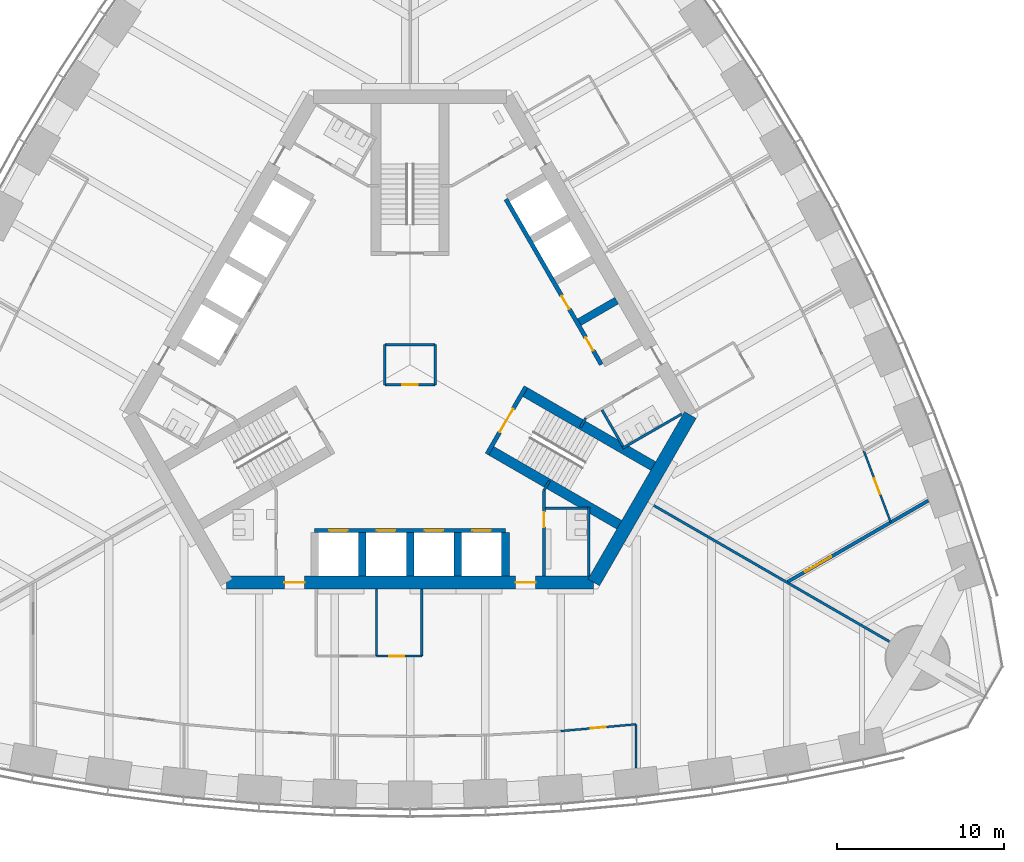
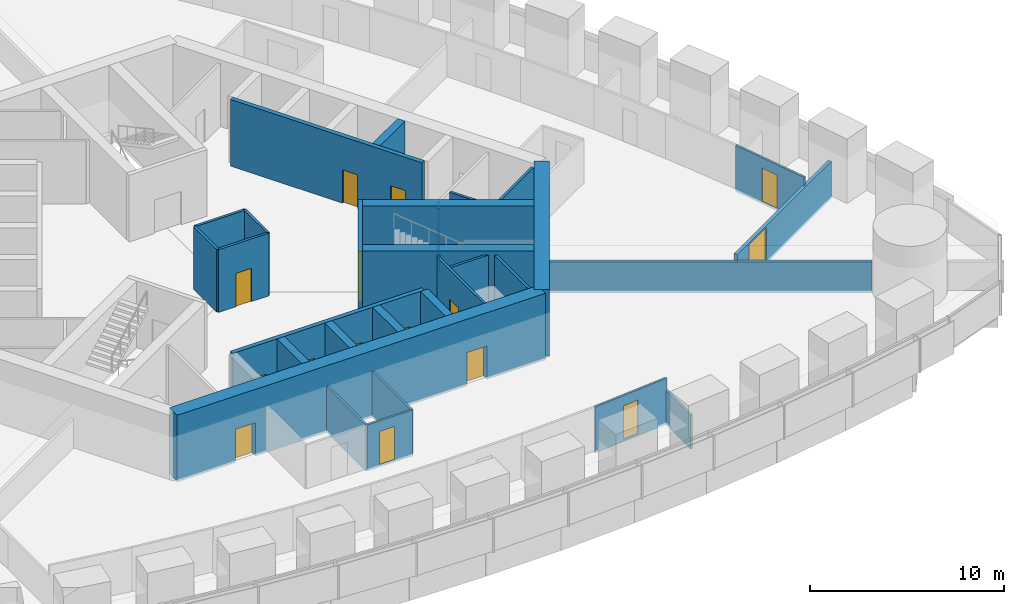
# One storey, part 11 of 18: 31 walls, 15 doors, 15 openings.
"""IFC4 building model written with IfcOpenShell, lengths in metres."""

from ifc_helpers import new_model, si_unit, direction, frame, frame_2d, origin, place, context, subcontext, project, spatial, rectangle, extrude, material, layer, layer_set, type_object, element, fill, save


model = new_model("IFC4")

# Units and contexts
model_context = context("Model", 3, precision=1e-05, world=origin(), true_north=direction((0.0, 1.0)))
body_context = subcontext(model_context, "Body", "Model", "MODEL_VIEW")
ifc_project = project(units=[si_unit("LENGTHUNIT", "METRE"), si_unit("AREAUNIT", "SQUARE_METRE"), si_unit("VOLUMEUNIT", "CUBIC_METRE"), si_unit("PLANEANGLEUNIT", "RADIAN"), si_unit("MASSUNIT", "GRAM", prefix="KILO")], contexts=[model_context])

# Site, building, storey
site_placement = place(None, origin())
site = spatial("IfcSite", under=ifc_project, at=site_placement, CompositionType="ELEMENT")
building_placement = place(site_placement, origin())
building = spatial("IfcBuilding", under=site, at=building_placement, Name="Trefoil Bronze Tower", CompositionType="ELEMENT")
storey_placement = place(building_placement, frame((0.0, 0.0, 174.5)))
storey = spatial("IfcBuildingStorey", under=building, at=storey_placement, Name="L40", CompositionType="ELEMENT", Elevation=174.5)

# Wall, opening, door
ifc_material_1 = material(Name="Gypsum board on steel studs", Category="steel")
ifc_layer_1 = layer(ifc_material_1, 0.199951171875)
ifc_layer_set_1 = layer_set([ifc_layer_1], Name="Acoustic partition 200")
wall_type_1 = type_object("IfcWallType", Name="Acoustic partition 200", PredefinedType="PARTITIONING", material=ifc_layer_set_1)
wall_1_placement = place(storey_placement, frame((22.552978515625, -12.959716796875, 0.0), z_axis=(0.0, 0.0, 1.0), x_axis=(0.866028367999, 0.499994865794, 0.0)))
wall_1 = element("IfcWall", 1, at=wall_1_placement, inside=storey, type_object=wall_type_1, Name="Partition F2 L40", PredefinedType="PARTITIONING", context=body_context, shape_type="SweptSolid", body=[
    extrude(rectangle(XDim=9.697265625, YDim=0.199951171875, at=frame_2d((4.8486328125, 0.0))), origin(), (0.0, 0.0, 1.0), 2.35009765625),
])
opening_1_placement = place(wall_1_placement, frame((1.199951171875, 0.0, 0.14990234375)))
opening_1 = element("IfcOpeningElement", 2, at=opening_1_placement, cuts=wall_1, Name="Opening D10", PredefinedType="OPENING", context=body_context, shape_type="SweptSolid", body=[
    extrude(rectangle(XDim=1.800048828125, YDim=2.10009765625, at=frame_2d((0.89990234375, 1.050048828125))), frame((0.0, 0.10986328125, 0.0), z_axis=(0.0, -1.0, 0.0), x_axis=(1.0, 0.0, 0.0)), (0.0, 0.0, 1.0), 0.219970703125),
])
ifc_material_2 = material(Name="Timber door", Category="wood")
door_type_1 = type_object("IfcDoorType", Name="Double door 1800", OperationType="DOUBLE_DOOR_SINGLE_SWING", PredefinedType="DOOR", material=ifc_material_2)
door_1_placement = place(opening_1_placement, frame((1.800048828125, 0.0, 0.0), z_axis=(0.0, 0.0, 1.0), x_axis=(-1.0, 0.0, 0.0)))
door_1 = element("IfcDoor", 3, at=door_1_placement, inside=storey, type_object=door_type_1, Name="Boardroom door F2 L40", OperationType="DOUBLE_DOOR_SINGLE_SWING", OverallHeight=2.10009765625, OverallWidth=1.800048828125, PredefinedType="DOOR", context=body_context, shape_type="SweptSolid", body=[
    extrude(rectangle(XDim=1.800048828125, YDim=2.10009765625, at=frame_2d((0.89990234375, 1.050048828125))), frame((0.0, 0.02490234375, 0.0), z_axis=(0.0, -1.0, 0.0), x_axis=(1.0, 0.0, 0.0)), (0.0, 0.0, 1.0), 0.050048828125),
])
fill(opening_1, door_1)

# Wall, openings, doors
ifc_material_3 = material(Name="Concrete B80", Category="concrete")
ifc_layer_2 = layer(ifc_material_3, 0.800048828125)
ifc_layer_set_2 = layer_set([ifc_layer_2], Name="Core wall 800")
wall_type_2 = type_object("IfcWallType", Name="Core wall 800", PredefinedType="SHEAR", material=ifc_layer_set_2)
wall_2_placement = place(storey_placement, frame((-10.9697265625, -13.0, 0.0), z_axis=(0.0, 0.0, 1.0), x_axis=(1.0, 0.0, 0.0)))
wall_2 = element("IfcWall", 4, at=wall_2_placement, inside=storey, type_object=wall_type_2, Name="Core long wall 1 L40", PredefinedType="SHEAR", context=body_context, shape_type="SweptSolid", body=[
    extrude(rectangle(XDim=21.939453125, YDim=0.800048828125, at=frame_2d((10.9697265625, 0.0))), origin(), (0.0, 0.0, 1.0), 4.199951171875),
])
opening_2_placement = place(wall_2_placement, frame((17.269775390625, 0.0, 0.0)))
opening_2 = element("IfcOpeningElement", 5, at=opening_2_placement, cuts=wall_2, Name="Opening D2", PredefinedType="OPENING", context=body_context, shape_type="SweptSolid", body=[
    extrude(rectangle(XDim=1.199951171875, YDim=2.10009765625, at=frame_2d((0.60009765625, 1.050048828125))), frame((0.0, 0.409912109375, 0.0), z_axis=(0.0, -1.0, 0.0), x_axis=(1.0, 0.0, 0.0)), (0.0, 0.0, 1.0), 0.820068359375),
])
opening_3_placement = place(wall_2_placement, frame((3.4697265625, 0.0, 0.0)))
opening_3 = element("IfcOpeningElement", 6, at=opening_3_placement, cuts=wall_2, Name="Opening D2", PredefinedType="OPENING", context=body_context, shape_type="SweptSolid", body=[
    extrude(rectangle(XDim=1.199951171875, YDim=2.10009765625, at=frame_2d((0.60009765625, 1.050048828125))), frame((0.0, 0.409912109375, 0.0), z_axis=(0.0, -1.0, 0.0), x_axis=(1.0, 0.0, 0.0)), (0.0, 0.0, 1.0), 0.820068359375),
])
ifc_material_4 = material(Name="Steel door", Category="steel")
door_type_2 = type_object("IfcDoorType", Name="Lobby door 1200", OperationType="SINGLE_SWING_RIGHT", PredefinedType="DOOR", material=ifc_material_4)
door_2_placement = place(opening_2_placement, origin())
door_2 = element("IfcDoor", 7, at=door_2_placement, inside=storey, type_object=door_type_2, Name="Lobby door F1+ L40", OperationType="SINGLE_SWING_RIGHT", OverallHeight=2.10009765625, OverallWidth=1.199951171875, PredefinedType="DOOR", context=body_context, shape_type="SweptSolid", body=[
    extrude(rectangle(XDim=1.199951171875, YDim=2.10009765625, at=frame_2d((0.60009765625, 1.050048828125))), frame((0.0, 0.02490234375, 0.0), z_axis=(0.0, -1.0, 0.0), x_axis=(1.0, 0.0, 0.0)), (0.0, 0.0, 1.0), 0.050048828125),
])
fill(opening_2, door_2)
door_3_placement = place(opening_3_placement, origin())
door_3 = element("IfcDoor", 8, at=door_3_placement, inside=storey, type_object=door_type_2, Name="Lobby door F1- L40", OperationType="SINGLE_SWING_LEFT", OverallHeight=2.10009765625, OverallWidth=1.199951171875, PredefinedType="DOOR", context=body_context, shape_type="SweptSolid", body=[
    extrude(rectangle(XDim=1.199951171875, YDim=2.10009765625, at=frame_2d((0.60009765625, 1.050048828125))), frame((0.0, 0.02490234375, 0.0), z_axis=(0.0, -1.0, 0.0), x_axis=(1.0, 0.0, 0.0)), (0.0, 0.0, 1.0), 0.050048828125),
])
fill(opening_3, door_3)

# Wall
wall_3_placement = place(storey_placement, frame((10.9697265625, -13.0, 0.0), z_axis=(0.0, 0.0, 1.0), x_axis=(0.499995765644, 0.866027848477, 0.0)))
element("IfcWall", 9, at=wall_3_placement, inside=storey, type_object=wall_type_2, Name="Core short wall 1 L40", PredefinedType="SHEAR", context=body_context, shape_type="SweptSolid", body=[
    extrude(rectangle(XDim=11.546875, YDim=0.800048828125, at=frame_2d((5.7734375, 0.0))), origin(), (0.0, 0.0, 1.0), 4.199951171875),
])

# Wall, opening, door
ifc_material_5 = material(Name="Glazed partition", Category="glass")
ifc_layer_3 = layer(ifc_material_5, 0.1201171875)
ifc_layer_set_3 = layer_set([ifc_layer_3], Name="Glazed partition 120")
wall_type_3 = type_object("IfcWallType", Name="Glazed partition 120", PredefinedType="PARTITIONING", material=ifc_layer_set_3)
wall_4_placement = place(storey_placement, frame((-2.0, -17.39990234375, 0.0), z_axis=(0.0, 0.0, 1.0), x_axis=(1.0, 0.0, 0.0)))
wall_4 = element("IfcWall", 10, at=wall_4_placement, inside=storey, type_object=wall_type_3, Name="Partition F1 L40", PredefinedType="PARTITIONING", context=body_context, shape_type="SweptSolid", body=[
    extrude(rectangle(XDim=2.699951171875, YDim=0.1201171875, at=frame_2d((1.35009765625, 0.0))), origin(), (0.0, 0.0, 1.0), 2.89990234375),
])
opening_4_placement = place(wall_4_placement, frame((0.75, 0.0, 0.14990234375)))
opening_4 = element("IfcOpeningElement", 11, at=opening_4_placement, cuts=wall_4, Name="Opening D8", PredefinedType="OPENING", context=body_context, shape_type="SweptSolid", body=[
    extrude(rectangle(XDim=0.89990234375, YDim=2.10009765625, at=frame_2d((0.449951171875, 1.050048828125))), frame((0.0, 0.070068359375, 0.0), z_axis=(0.0, -1.0, 0.0), x_axis=(1.0, 0.0, 0.0)), (0.0, 0.0, 1.0), 0.14013671875),
])
ifc_material_6 = material(Name="Timber door", Category="wood")
door_type_3 = type_object("IfcDoorType", Name="Office door 900", OperationType="SINGLE_SWING_LEFT", PredefinedType="DOOR", material=ifc_material_6)
door_4_placement = place(opening_4_placement, origin())
door_4 = element("IfcDoor", 12, at=door_4_placement, inside=storey, type_object=door_type_3, Name="Pantry door F1 L40", OperationType="SINGLE_SWING_LEFT", OverallHeight=2.10009765625, OverallWidth=0.89990234375, PredefinedType="DOOR", context=body_context, shape_type="SweptSolid", body=[
    extrude(rectangle(XDim=0.89990234375, YDim=2.10009765625, at=frame_2d((0.449951171875, 1.050048828125))), frame((0.0, 0.02490234375, 0.0), z_axis=(0.0, -1.0, 0.0), x_axis=(1.0, 0.0, 0.0)), (0.0, 0.0, 1.0), 0.050048828125),
])
fill(opening_4, door_4)

# Walls
for number, where, z_axis, x_axis, name in (
    (13, (0.699951171875, -13.39990234375, 0.0), (0.0, 0.0, 1.0), (0.0, -1.0, 0.0), "Partition F1 L40"),
    (14, (-2.0, -13.39990234375, 0.0), (0.0, 0.0, 1.0), (0.0, -1.0, 0.0), "Partition F1 L40"),
):
    element("IfcWall", number, at=place(storey_placement, frame(where, z_axis=z_axis, x_axis=x_axis)), inside=storey, type_object=wall_type_3, Name=name, PredefinedType="PARTITIONING", context=body_context, shape_type="SweptSolid", body=[
        extrude(rectangle(XDim=4.0, YDim=0.1201171875, at=frame_2d((2.0, 0.0))), origin(), (0.0, 0.0, 1.0), 2.89990234375),
    ])

# Wall, opening, door
wall_5_placement = place(storey_placement, frame((9.0, -21.875, 0.0), z_axis=(0.0, 0.0, 1.0), x_axis=(0.995930325215, 0.090126507295, 0.0)))
wall_5 = element("IfcWall", 15, at=wall_5_placement, inside=storey, type_object=wall_type_3, Name="Partition F1 L40", PredefinedType="PARTITIONING", context=body_context, shape_type="SweptSolid", body=[
    extrude(rectangle(XDim=4.518310546875, YDim=0.1201171875, at=frame_2d((2.25927734375, 0.0))), origin(), (0.0, 0.0, 1.0), 2.89990234375),
])
opening_5_placement = place(wall_5_placement, frame((1.800048828125, 0.0, 0.14990234375)))
opening_5 = element("IfcOpeningElement", 16, at=opening_5_placement, cuts=wall_5, Name="Opening D8", PredefinedType="OPENING", context=body_context, shape_type="SweptSolid", body=[
    extrude(rectangle(XDim=0.89990234375, YDim=2.10009765625, at=frame_2d((0.449951171875, 1.050048828125))), frame((0.0, 0.070068359375, 0.0), z_axis=(0.0, -1.0, 0.0), x_axis=(1.0, 0.0, 0.0)), (0.0, 0.0, 1.0), 0.14013671875),
])
door_5_placement = place(opening_5_placement, frame((0.89990234375, 0.0, 0.0), z_axis=(0.0, 0.0, 1.0), x_axis=(-1.0, 0.0, 0.0)))
door_5 = element("IfcDoor", 17, at=door_5_placement, inside=storey, type_object=door_type_3, Name="Executive office door F1 L40", OperationType="SINGLE_SWING_RIGHT", OverallHeight=2.10009765625, OverallWidth=0.89990234375, PredefinedType="DOOR", context=body_context, shape_type="SweptSolid", body=[
    extrude(rectangle(XDim=0.89990234375, YDim=2.10009765625, at=frame_2d((0.449951171875, 1.050048828125))), frame((0.0, 0.02490234375, 0.0), z_axis=(0.0, -1.0, 0.0), x_axis=(1.0, 0.0, 0.0)), (0.0, 0.0, 1.0), 0.050048828125),
])
fill(opening_5, door_5)

# Wall
wall_6_placement = place(storey_placement, frame((13.5, -21.4677734375, 0.0), z_axis=(0.0, 0.0, 1.0), x_axis=(0.0, -1.0, 0.0)))
element("IfcWall", 18, at=wall_6_placement, inside=storey, type_object=wall_type_3, Name="Partition F1 L40", PredefinedType="PARTITIONING", context=body_context, shape_type="SweptSolid", body=[
    extrude(rectangle(XDim=2.6103515625, YDim=0.1201171875, at=frame_2d((1.30517578125, 0.0))), origin(), (0.0, 0.0, 1.0), 2.14990234375),
])

# Wall, opening, door
wall_7_placement = place(storey_placement, frame((28.70556640625, -9.40771484375, 0.0), z_axis=(0.0, 0.0, 1.0), x_axis=(-0.352894560512, 0.93566309597, 0.0)))
wall_7 = element("IfcWall", 19, at=wall_7_placement, inside=storey, type_object=wall_type_3, Name="Partition F2 L40", PredefinedType="PARTITIONING", context=body_context, shape_type="SweptSolid", body=[
    extrude(rectangle(XDim=4.560546875, YDim=0.1201171875, at=frame_2d((2.2802734375, 0.0))), origin(), (0.0, 0.0, 1.0), 2.89990234375),
])
opening_6_placement = place(wall_7_placement, frame((1.800048828125, 0.0, 0.14990234375)))
opening_6 = element("IfcOpeningElement", 20, at=opening_6_placement, cuts=wall_7, Name="Opening D9", PredefinedType="OPENING", context=body_context, shape_type="SweptSolid", body=[
    extrude(rectangle(XDim=1.0, YDim=2.10009765625, at=frame_2d((0.5, 1.050048828125))), frame((0.0, 0.070068359375, 0.0), z_axis=(0.0, -1.0, 0.0), x_axis=(1.0, 0.0, 0.0)), (0.0, 0.0, 1.0), 0.14013671875),
])
ifc_material_7 = material(Name="Glazed timber door", Category="wood")
door_type_4 = type_object("IfcDoorType", Name="Meeting room door 1000", OperationType="SINGLE_SWING_LEFT", PredefinedType="DOOR", material=ifc_material_7)
door_6_placement = place(opening_6_placement, frame((1.0, 0.0, 0.0), z_axis=(0.0, 0.0, 1.0), x_axis=(-1.0, 0.0, 0.0)))
door_6 = element("IfcDoor", 21, at=door_6_placement, inside=storey, type_object=door_type_4, Name="Meeting room door F2 L40", OperationType="SINGLE_SWING_LEFT", OverallHeight=2.10009765625, OverallWidth=1.0, PredefinedType="DOOR", context=body_context, shape_type="SweptSolid", body=[
    extrude(rectangle(XDim=1.0, YDim=2.10009765625, at=frame_2d((0.5, 1.050048828125))), frame((0.0, 0.02490234375, 0.0), z_axis=(0.0, -1.0, 0.0), x_axis=(1.0, 0.0, 0.0)), (0.0, 0.0, 1.0), 0.050048828125),
])
fill(opening_6, door_6)

# Walls
ifc_material_8 = material(Name="Concrete B80", Category="concrete")
ifc_layer_4 = layer(ifc_material_8, 0.449951171875)
ifc_layer_set_4 = layer_set([ifc_layer_4], Name="Outrigger shaft wall 450")
wall_type_4 = type_object("IfcWallType", Name="Outrigger shaft wall 450", PredefinedType="SHEAR", material=ifc_layer_set_4)
for number, where, z_axis, x_axis, name in (
    (22, (-2.85009765625, -10.02490234375, 0.0), (0.0, 0.0, 1.0), (0.0, -1.0, 0.0), "Lift shaft side wall A1 L40"),
    (23, (0.0, -10.02490234375, 0.0), (0.0, 0.0, 1.0), (0.0, -1.0, 0.0), "Lift shaft side wall A2 L40"),
    (24, (2.85009765625, -10.02490234375, 0.0), (0.0, 0.0, 1.0), (0.0, -1.0, 0.0), "Lift shaft side wall A3 L40"),
    (25, (5.699951171875, -10.02490234375, 0.0), (0.0, 0.0, 1.0), (0.0, -1.0, 0.0), "Lift shaft side wall A4 L40"),
):
    element("IfcWall", number, at=place(storey_placement, frame(where, z_axis=z_axis, x_axis=x_axis)), inside=storey, type_object=wall_type_4, Name=name, PredefinedType="SHEAR", context=body_context, shape_type="SweptSolid", body=[
        extrude(rectangle(XDim=2.5751953125, YDim=0.449951171875, at=frame_2d((1.28759765625, 0.0))), origin(), (0.0, 0.0, 1.0), 4.199951171875),
    ])
wall_8_placement = place(storey_placement, frame((10.10693359375, 2.54443359375, 0.0), z_axis=(0.0, 0.0, 1.0), x_axis=(0.866046643894, 0.499963209246, 0.0)))
element("IfcWall", 26, at=wall_8_placement, inside=storey, type_object=wall_type_4, Name="Lift shaft side wall B1 L40", PredefinedType="SHEAR", context=body_context, shape_type="SweptSolid", body=[
    extrude(rectangle(XDim=2.574951171875, YDim=0.449951171875, at=frame_2d((1.28759765625, 0.0))), origin(), (0.0, 0.0, 1.0), 4.199951171875),
])

# Wall, opening, door
ifc_material_9 = material(Name="Gypsum board on steel studs", Category="steel")
ifc_layer_5 = layer(ifc_material_9, 0.14990234375)
ifc_layer_set_5 = layer_set([ifc_layer_5], Name="Partition 150")
wall_type_5 = type_object("IfcWallType", Name="Partition 150", PredefinedType="PARTITIONING", material=ifc_layer_set_5)
wall_9_placement = place(storey_placement, frame((8.0, -7.5, 0.0), z_axis=(0.0, 0.0, 1.0), x_axis=(0.0, -1.0, 0.0)))
wall_9 = element("IfcWall", 27, at=wall_9_placement, inside=storey, type_object=wall_type_5, Name="Passage wall F1+ L40", PredefinedType="PARTITIONING", context=body_context, shape_type="SweptSolid", body=[
    extrude(rectangle(XDim=5.10009765625, YDim=0.14990234375, at=frame_2d((2.550048828125, 0.0))), origin(), (0.0, 0.0, 1.0), 3.949951171875),
])
opening_7_placement = place(wall_9_placement, frame((1.300048828125, 0.0, 0.0)))
opening_7 = element("IfcOpeningElement", 28, at=opening_7_placement, cuts=wall_9, Name="Opening D3", PredefinedType="OPENING", context=body_context, shape_type="SweptSolid", body=[
    extrude(rectangle(XDim=0.89990234375, YDim=2.10009765625, at=frame_2d((0.449951171875, 1.050048828125))), frame((0.0, 0.0849609375, 0.0), z_axis=(0.0, -1.0, 0.0), x_axis=(1.0, 0.0, 0.0)), (0.0, 0.0, 1.0), 0.169921875),
])
ifc_material_10 = material(Name="Timber door", Category="wood")
door_type_5 = type_object("IfcDoorType", Name="WC door 900", OperationType="SINGLE_SWING_LEFT", PredefinedType="DOOR", material=ifc_material_10)
door_7_placement = place(opening_7_placement, origin())
door_7 = element("IfcDoor", 29, at=door_7_placement, inside=storey, type_object=door_type_5, Name="WC (men) door L40", OperationType="SINGLE_SWING_LEFT", OverallHeight=2.10009765625, OverallWidth=0.89990234375, PredefinedType="DOOR", context=body_context, shape_type="SweptSolid", body=[
    extrude(rectangle(XDim=0.89990234375, YDim=2.10009765625, at=frame_2d((0.449951171875, 1.050048828125))), frame((0.0, 0.02490234375, 0.0), z_axis=(0.0, -1.0, 0.0), x_axis=(1.0, 0.0, 0.0)), (0.0, 0.0, 1.0), 0.050048828125),
])
fill(opening_7, door_7)

# Walls
for number, where, z_axis, x_axis, name in (
    (30, (8.0, -7.5, 0.0), (0.0, 0.0, 1.0), (0.499842556608, 0.866116284689, 0.0), "WC wall ST1-1 L40"),
    (31, (10.4951171875, -3.17822265625, 0.0), (0.0, 0.0, 1.0), (-0.499842556608, -0.866116284689, 0.0), "WC wall ST1+1 L40"),
):
    element("IfcWall", number, at=place(storey_placement, frame(where, z_axis=z_axis, x_axis=x_axis)), inside=storey, type_object=wall_type_5, Name=name, PredefinedType="PARTITIONING", context=body_context, shape_type="SweptSolid", body=[
        extrude(rectangle(XDim=0.645263671875, YDim=0.14990234375, at=frame_2d((0.32275390625, 0.0))), origin(), (0.0, 0.0, 1.0), 3.949951171875),
    ])
wall_10_placement = place(storey_placement, frame((10.659912109375, -8.5, 0.0), z_axis=(0.0, 0.0, 1.0), x_axis=(0.0, -1.0, 0.0)))
element("IfcWall", 32, at=wall_10_placement, inside=storey, type_object=wall_type_5, Name="WC partition WC (men) L40", PredefinedType="PARTITIONING", context=body_context, shape_type="SweptSolid", body=[
    extrude(rectangle(XDim=4.10009765625, YDim=0.14990234375, at=frame_2d((2.050048828125, 0.0))), origin(), (0.0, 0.0, 1.0), 3.949951171875),
])
wall_11_placement = place(storey_placement, frame((8.074951171875, -8.574951171875, 0.0), z_axis=(0.0, 0.0, 1.0), x_axis=(1.0, 0.0, 0.0)))
element("IfcWall", 33, at=wall_11_placement, inside=storey, type_object=wall_type_5, Name="WC partition WC (men) L40", PredefinedType="PARTITIONING", context=body_context, shape_type="SweptSolid", body=[
    extrude(rectangle(XDim=2.510009765625, YDim=0.14990234375, at=frame_2d((1.2548828125, 0.0))), origin(), (0.0, 0.0, 1.0), 3.949951171875),
])
wall_12_placement = place(storey_placement, frame((12.691162109375, -4.98193359375, 0.0), z_axis=(0.0, 0.0, 1.0), x_axis=(0.8660249478, 0.500000789788, 0.0)))
element("IfcWall", 34, at=wall_12_placement, inside=storey, type_object=wall_type_5, Name="WC partition WC (women) L40", PredefinedType="PARTITIONING", context=body_context, shape_type="SweptSolid", body=[
    extrude(rectangle(XDim=4.10009765625, YDim=0.14990234375, at=frame_2d((2.050048828125, 0.0))), origin(), (0.0, 0.0, 1.0), 3.949951171875),
])
wall_13_placement = place(storey_placement, frame((11.463623046875, -2.70556640625, 0.0), z_axis=(0.0, 0.0, 1.0), x_axis=(0.50001992892, -0.866013897511, 0.0)))
element("IfcWall", 35, at=wall_13_placement, inside=storey, type_object=wall_type_5, Name="WC partition WC (women) L40", PredefinedType="PARTITIONING", context=body_context, shape_type="SweptSolid", body=[
    extrude(rectangle(XDim=2.51025390625, YDim=0.14990234375, at=frame_2d((1.255126953125, 0.0))), origin(), (0.0, 0.0, 1.0), 3.949951171875),
])
ifc_material_11 = material(Name="Gypsum board on steel studs", Category="steel")
ifc_layer_6 = layer(ifc_material_11, 0.14990234375)
ifc_layer_set_6 = layer_set([ifc_layer_6], Name="Party wall 150")
wall_type_6 = type_object("IfcWallType", Name="Party wall 150", PredefinedType="PARTITIONING", material=ifc_layer_set_6)
wall_14_placement = place(storey_placement, frame((14.202880859375, -8.199951171875, 0.0), z_axis=(0.0, 0.0, 1.0), x_axis=(0.866024668836, -0.500001272966, 0.0)))
element("IfcWall", 36, at=wall_14_placement, inside=storey, type_object=wall_type_6, Name="Party wall K1 L40", PredefinedType="PARTITIONING", context=body_context, shape_type="SweptSolid", body=[
    extrude(rectangle(XDim=16.64990234375, YDim=0.14990234375, at=frame_2d((8.324951171875, 0.0))), origin(), (0.0, 0.0, 1.0), 1.949951171875),
])

# Wall, opening, door
ifc_material_12 = material(Name="Gypsum board on steel studs", Category="steel")
ifc_layer_7 = layer(ifc_material_12, 0.14990234375)
ifc_layer_set_7 = layer_set([ifc_layer_7], Name="Riser wall 150")
wall_type_7 = type_object("IfcWallType", Name="Riser wall 150", PredefinedType="PARTITIONING", material=ifc_layer_set_7)
wall_15_placement = place(storey_placement, frame((-1.5, -1.199951171875, 0.0), z_axis=(0.0, 0.0, 1.0), x_axis=(1.0, 0.0, 0.0)))
wall_15 = element("IfcWall", 37, at=wall_15_placement, inside=storey, type_object=wall_type_7, Name="Riser wall L40", PredefinedType="PARTITIONING", context=body_context, shape_type="SweptSolid", body=[
    extrude(rectangle(XDim=3.0, YDim=0.14990234375, at=frame_2d((1.5, 0.0))), origin(), (0.0, 0.0, 1.0), 3.949951171875),
])
opening_8_placement = place(wall_15_placement, frame((1.050048828125, 0.0, 0.0)))
opening_8 = element("IfcOpeningElement", 38, at=opening_8_placement, cuts=wall_15, Name="Opening D4", PredefinedType="OPENING", context=body_context, shape_type="SweptSolid", body=[
    extrude(rectangle(XDim=0.89990234375, YDim=2.10009765625, at=frame_2d((0.449951171875, 1.050048828125))), frame((0.0, 0.0849609375, 0.0), z_axis=(0.0, -1.0, 0.0), x_axis=(1.0, 0.0, 0.0)), (0.0, 0.0, 1.0), 0.169921875),
])
ifc_material_13 = material(Name="Steel door", Category="steel")
door_type_6 = type_object("IfcDoorType", Name="Riser door 900", OperationType="SINGLE_SWING_LEFT", PredefinedType="DOOR", material=ifc_material_13)
door_8_placement = place(opening_8_placement, frame((0.89990234375, 0.0, 0.0), z_axis=(0.0, 0.0, 1.0), x_axis=(-1.0, 0.0, 0.0)))
door_8 = element("IfcDoor", 39, at=door_8_placement, inside=storey, type_object=door_type_6, Name="Riser door L40", OperationType="SINGLE_SWING_LEFT", OverallHeight=2.10009765625, OverallWidth=0.89990234375, PredefinedType="DOOR", context=body_context, shape_type="SweptSolid", body=[
    extrude(rectangle(XDim=0.89990234375, YDim=2.10009765625, at=frame_2d((0.449951171875, 1.050048828125))), frame((0.0, 0.02490234375, 0.0), z_axis=(0.0, -1.0, 0.0), x_axis=(1.0, 0.0, 0.0)), (0.0, 0.0, 1.0), 0.050048828125),
])
fill(opening_8, door_8)

# Walls
wall_16_placement = place(storey_placement, frame((1.5, -1.199951171875, 0.0), z_axis=(0.0, 0.0, 1.0), x_axis=(0.0, 1.0, 0.0)))
element("IfcWall", 40, at=wall_16_placement, inside=storey, type_object=wall_type_7, Name="Riser wall L40", PredefinedType="PARTITIONING", context=body_context, shape_type="SweptSolid", body=[
    extrude(rectangle(XDim=2.39990234375, YDim=0.14990234375, at=frame_2d((1.199951171875, 0.0))), origin(), (0.0, 0.0, 1.0), 3.949951171875),
])
wall_17_placement = place(storey_placement, frame((1.5, 1.199951171875, 0.0), z_axis=(0.0, 0.0, 1.0), x_axis=(-1.0, 0.0, 0.0)))
element("IfcWall", 41, at=wall_17_placement, inside=storey, type_object=wall_type_7, Name="Riser wall L40", PredefinedType="PARTITIONING", context=body_context, shape_type="SweptSolid", body=[
    extrude(rectangle(XDim=3.0, YDim=0.14990234375, at=frame_2d((1.5, 0.0))), origin(), (0.0, 0.0, 1.0), 3.949951171875),
])
wall_18_placement = place(storey_placement, frame((-1.5, 1.199951171875, 0.0), z_axis=(0.0, 0.0, 1.0), x_axis=(0.0, -1.0, 0.0)))
element("IfcWall", 42, at=wall_18_placement, inside=storey, type_object=wall_type_7, Name="Riser wall L40", PredefinedType="PARTITIONING", context=body_context, shape_type="SweptSolid", body=[
    extrude(rectangle(XDim=2.39990234375, YDim=0.14990234375, at=frame_2d((1.199951171875, 0.0))), origin(), (0.0, 0.0, 1.0), 3.949951171875),
])

# Wall, openings, doors
ifc_material_14 = material(Name="Concrete B80", Category="concrete")
ifc_layer_8 = layer(ifc_material_14, 0.25)
ifc_layer_set_8 = layer_set([ifc_layer_8], Name="Shaft wall 250")
wall_type_8 = type_object("IfcWallType", Name="Shaft wall 250", PredefinedType="SHEAR", material=ifc_layer_set_8)
wall_19_placement = place(storey_placement, frame((-5.699951171875, -9.89990234375, 0.0), z_axis=(0.0, 0.0, 1.0), x_axis=(1.0, 0.0, 0.0)))
wall_19 = element("IfcWall", 43, at=wall_19_placement, inside=storey, type_object=wall_type_8, Name="Lift shaft front wall A L40", PredefinedType="SHEAR", context=body_context, shape_type="SweptSolid", body=[
    extrude(rectangle(XDim=11.39990234375, YDim=0.25, at=frame_2d((5.699951171875, 0.0))), origin(), (0.0, 0.0, 1.0), 4.199951171875),
])
opening_9_placement = place(wall_19_placement, frame((0.875, 0.0, 0.0)))
opening_9 = element("IfcOpeningElement", 44, at=opening_9_placement, cuts=wall_19, Name="Opening LD-P21", PredefinedType="OPENING", context=body_context, shape_type="SweptSolid", body=[
    extrude(rectangle(XDim=1.10009765625, YDim=2.199951171875, at=frame_2d((0.550048828125, 1.10009765625))), frame((0.0, 0.135009765625, 0.0), z_axis=(0.0, -1.0, 0.0), x_axis=(1.0, 0.0, 0.0)), (0.0, 0.0, 1.0), 0.27001953125),
])
opening_10_placement = place(wall_19_placement, frame((3.72509765625, 0.0, 0.0)))
opening_10 = element("IfcOpeningElement", 45, at=opening_10_placement, cuts=wall_19, Name="Opening LD-P22", PredefinedType="OPENING", context=body_context, shape_type="SweptSolid", body=[
    extrude(rectangle(XDim=1.10009765625, YDim=2.199951171875, at=frame_2d((0.550048828125, 1.10009765625))), frame((0.0, 0.135009765625, 0.0), z_axis=(0.0, -1.0, 0.0), x_axis=(1.0, 0.0, 0.0)), (0.0, 0.0, 1.0), 0.27001953125),
])
opening_11_placement = place(wall_19_placement, frame((6.574951171875, 0.0, 0.0)))
opening_11 = element("IfcOpeningElement", 46, at=opening_11_placement, cuts=wall_19, Name="Opening LD-P23", PredefinedType="OPENING", context=body_context, shape_type="SweptSolid", body=[
    extrude(rectangle(XDim=1.10009765625, YDim=2.199951171875, at=frame_2d((0.550048828125, 1.10009765625))), frame((0.0, 0.135009765625, 0.0), z_axis=(0.0, -1.0, 0.0), x_axis=(1.0, 0.0, 0.0)), (0.0, 0.0, 1.0), 0.27001953125),
])
opening_12_placement = place(wall_19_placement, frame((9.425048828125, 0.0, 0.0)))
opening_12 = element("IfcOpeningElement", 47, at=opening_12_placement, cuts=wall_19, Name="Opening LD-P24", PredefinedType="OPENING", context=body_context, shape_type="SweptSolid", body=[
    extrude(rectangle(XDim=1.10009765625, YDim=2.199951171875, at=frame_2d((0.550048828125, 1.10009765625))), frame((0.0, 0.135009765625, 0.0), z_axis=(0.0, -1.0, 0.0), x_axis=(1.0, 0.0, 0.0)), (0.0, 0.0, 1.0), 0.27001953125),
])
ifc_material_15 = material(Name="Steel door", Category="steel")
door_type_7 = type_object("IfcDoorType", Name="Lift landing door 1100", OperationType="DOUBLE_DOOR_SLIDING", PredefinedType="DOOR", material=ifc_material_15)
door_9_placement = place(opening_9_placement, origin())
door_9 = element("IfcDoor", 48, at=door_9_placement, inside=storey, type_object=door_type_7, Name="Lift P21 landing door L40", OperationType="DOUBLE_DOOR_SLIDING", OverallHeight=2.199951171875, OverallWidth=1.10009765625, PredefinedType="DOOR", context=body_context, shape_type="SweptSolid", body=[
    extrude(rectangle(XDim=1.10009765625, YDim=2.199951171875, at=frame_2d((0.550048828125, 1.10009765625))), frame((0.0, 0.02490234375, 0.0), z_axis=(0.0, -1.0, 0.0), x_axis=(1.0, 0.0, 0.0)), (0.0, 0.0, 1.0), 0.050048828125),
])
fill(opening_9, door_9)
door_10_placement = place(opening_10_placement, origin())
door_10 = element("IfcDoor", 49, at=door_10_placement, inside=storey, type_object=door_type_7, Name="Lift P22 landing door L40", OperationType="DOUBLE_DOOR_SLIDING", OverallHeight=2.199951171875, OverallWidth=1.10009765625, PredefinedType="DOOR", context=body_context, shape_type="SweptSolid", body=[
    extrude(rectangle(XDim=1.10009765625, YDim=2.199951171875, at=frame_2d((0.550048828125, 1.10009765625))), frame((0.0, 0.02490234375, 0.0), z_axis=(0.0, -1.0, 0.0), x_axis=(1.0, 0.0, 0.0)), (0.0, 0.0, 1.0), 0.050048828125),
])
fill(opening_10, door_10)
door_11_placement = place(opening_11_placement, origin())
door_11 = element("IfcDoor", 50, at=door_11_placement, inside=storey, type_object=door_type_7, Name="Lift P23 landing door L40", OperationType="DOUBLE_DOOR_SLIDING", OverallHeight=2.199951171875, OverallWidth=1.10009765625, PredefinedType="DOOR", context=body_context, shape_type="SweptSolid", body=[
    extrude(rectangle(XDim=1.10009765625, YDim=2.199951171875, at=frame_2d((0.550048828125, 1.10009765625))), frame((0.0, 0.02490234375, 0.0), z_axis=(0.0, -1.0, 0.0), x_axis=(1.0, 0.0, 0.0)), (0.0, 0.0, 1.0), 0.050048828125),
])
fill(opening_11, door_11)
door_12_placement = place(opening_12_placement, origin())
door_12 = element("IfcDoor", 51, at=door_12_placement, inside=storey, type_object=door_type_7, Name="Lift P24 landing door L40", OperationType="DOUBLE_DOOR_SLIDING", OverallHeight=2.199951171875, OverallWidth=1.10009765625, PredefinedType="DOOR", context=body_context, shape_type="SweptSolid", body=[
    extrude(rectangle(XDim=1.10009765625, YDim=2.199951171875, at=frame_2d((0.550048828125, 1.10009765625))), frame((0.0, 0.02490234375, 0.0), z_axis=(0.0, -1.0, 0.0), x_axis=(1.0, 0.0, 0.0)), (0.0, 0.0, 1.0), 0.050048828125),
])
fill(opening_12, door_12)

wall_20_placement = place(storey_placement, frame((11.423583984375, 0.013671875, 0.0), z_axis=(0.0, 0.0, 1.0), x_axis=(-0.500001763848, 0.866024385424, 0.0)))
wall_20 = element("IfcWall", 52, at=wall_20_placement, inside=storey, type_object=wall_type_8, Name="Lift shaft front wall B L40", PredefinedType="SHEAR", context=body_context, shape_type="SweptSolid", body=[
    extrude(rectangle(XDim=11.39990234375, YDim=0.25, at=frame_2d((5.699951171875, 0.0))), origin(), (0.0, 0.0, 1.0), 4.199951171875),
])
opening_13_placement = place(wall_20_placement, frame((0.97509765625, 0.0, 0.0)))
opening_13 = element("IfcOpeningElement", 53, at=opening_13_placement, cuts=wall_20, Name="Opening D12", PredefinedType="OPENING", context=body_context, shape_type="SweptSolid", body=[
    extrude(rectangle(XDim=0.89990234375, YDim=2.10009765625, at=frame_2d((0.449951171875, 1.050048828125))), frame((0.0, 0.135009765625, 0.0), z_axis=(0.0, -1.0, 0.0), x_axis=(1.0, 0.0, 0.0)), (0.0, 0.0, 1.0), 0.27001953125),
])
opening_14_placement = place(wall_20_placement, frame((3.824951171875, 0.0, 0.0)))
opening_14 = element("IfcOpeningElement", 54, at=opening_14_placement, cuts=wall_20, Name="Opening D12", PredefinedType="OPENING", context=body_context, shape_type="SweptSolid", body=[
    extrude(rectangle(XDim=0.89990234375, YDim=2.10009765625, at=frame_2d((0.449951171875, 1.050048828125))), frame((0.0, 0.135009765625, 0.0), z_axis=(0.0, -1.0, 0.0), x_axis=(1.0, 0.0, 0.0)), (0.0, 0.0, 1.0), 0.27001953125),
])
ifc_material_16 = material(Name="Steel door", Category="steel")
door_type_8 = type_object("IfcDoorType", Name="Shaft room door 900", OperationType="SINGLE_SWING_LEFT", PredefinedType="DOOR", material=ifc_material_16)
door_13_placement = place(opening_13_placement, frame((0.89990234375, 0.0, 0.0), z_axis=(0.0, 0.0, 1.0), x_axis=(-1.0, 0.0, 0.0)))
door_13 = element("IfcDoor", 55, at=door_13_placement, inside=storey, type_object=door_type_8, Name="Shaft room door B1 L40", OperationType="SINGLE_SWING_LEFT", OverallHeight=2.10009765625, OverallWidth=0.89990234375, PredefinedType="DOOR", context=body_context, shape_type="SweptSolid", body=[
    extrude(rectangle(XDim=0.89990234375, YDim=2.10009765625, at=frame_2d((0.449951171875, 1.050048828125))), frame((0.0, 0.02490234375, 0.0), z_axis=(0.0, -1.0, 0.0), x_axis=(1.0, 0.0, 0.0)), (0.0, 0.0, 1.0), 0.050048828125),
])
fill(opening_13, door_13)
door_14_placement = place(opening_14_placement, frame((0.89990234375, 0.0, 0.0), z_axis=(0.0, 0.0, 1.0), x_axis=(-1.0, 0.0, 0.0)))
door_14 = element("IfcDoor", 56, at=door_14_placement, inside=storey, type_object=door_type_8, Name="Shaft room door B2 L40", OperationType="SINGLE_SWING_RIGHT", OverallHeight=2.10009765625, OverallWidth=0.89990234375, PredefinedType="DOOR", context=body_context, shape_type="SweptSolid", body=[
    extrude(rectangle(XDim=0.89990234375, YDim=2.10009765625, at=frame_2d((0.449951171875, 1.050048828125))), frame((0.0, 0.02490234375, 0.0), z_axis=(0.0, -1.0, 0.0), x_axis=(1.0, 0.0, 0.0)), (0.0, 0.0, 1.0), 0.050048828125),
])
fill(opening_14, door_14)

# Wall, opening, door
wall_21_placement = place(storey_placement, frame((4.5966796875, -5.338623046875, 0.0), z_axis=(0.0, 0.0, 1.0), x_axis=(0.499984536904, 0.866034331223, 0.0)))
wall_21 = element("IfcWall", 57, at=wall_21_placement, inside=storey, type_object=wall_type_8, Name="Stair end wall ST1 L40", PredefinedType="SHEAR", context=body_context, shape_type="SweptSolid", body=[
    extrude(rectangle(XDim=4.650146484375, YDim=0.25, at=frame_2d((2.3251953125, 0.0))), origin(), (0.0, 0.0, 1.0), 4.199951171875),
])
opening_15_placement = place(wall_21_placement, frame((1.52490234375, 0.0, 0.0)))
opening_15 = element("IfcOpeningElement", 58, at=opening_15_placement, cuts=wall_21, Name="Opening D1", PredefinedType="OPENING", context=body_context, shape_type="SweptSolid", body=[
    extrude(rectangle(XDim=1.60009765625, YDim=2.10009765625, at=frame_2d((0.800048828125, 1.050048828125))), frame((0.0, 0.135009765625, 0.0), z_axis=(0.0, -1.0, 0.0), x_axis=(1.0, 0.0, 0.0)), (0.0, 0.0, 1.0), 0.27001953125),
])
ifc_material_17 = material(Name="Steel door", Category="steel")
door_type_9 = type_object("IfcDoorType", Name="Stair door 1600", OperationType="DOUBLE_DOOR_SINGLE_SWING", PredefinedType="DOOR", material=ifc_material_17)
door_15_placement = place(opening_15_placement, frame((1.60009765625, 0.0, 0.0), z_axis=(0.0, 0.0, 1.0), x_axis=(-1.0, 0.0, 0.0)))
door_15 = element("IfcDoor", 59, at=door_15_placement, inside=storey, type_object=door_type_9, Name="Stair door ST1 L40", OperationType="DOUBLE_DOOR_SINGLE_SWING", OverallHeight=2.10009765625, OverallWidth=1.60009765625, PredefinedType="DOOR", context=body_context, shape_type="SweptSolid", body=[
    extrude(rectangle(XDim=1.60009765625, YDim=2.10009765625, at=frame_2d((0.800048828125, 1.050048828125))), frame((0.0, 0.02490234375, 0.0), z_axis=(0.0, -1.0, 0.0), x_axis=(1.0, 0.0, 0.0)), (0.0, 0.0, 1.0), 0.050048828125),
])
fill(opening_15, door_15)

# Walls
ifc_material_18 = material(Name="Concrete B80", Category="concrete")
ifc_layer_9 = layer(ifc_material_18, 0.60009765625)
ifc_layer_set_9 = layer_set([ifc_layer_9], Name="Stair wall 600")
wall_type_9 = type_object("IfcWallType", Name="Stair wall 600", PredefinedType="SHEAR", material=ifc_layer_set_9)
for number, where, z_axis, x_axis, name in (
    (60, (4.638427734375, -5.01611328125, 0.0), (0.0, 0.0, 1.0), (0.866019375473, -0.500010441196, 0.0), "Stair wall ST1 L40"),
    (61, (6.663330078125, -1.5087890625, 0.0), (0.0, 0.0, 1.0), (0.866019375473, -0.500010441196, 0.0), "Stair wall ST1 L40"),
):
    element("IfcWall", number, at=place(storey_placement, frame(where, z_axis=z_axis, x_axis=x_axis)), inside=storey, type_object=wall_type_9, Name=name, PredefinedType="SHEAR", context=body_context, shape_type="SweptSolid", body=[
        extrude(rectangle(XDim=9.074951171875, YDim=0.60009765625, at=frame_2d((4.53759765625, 0.0))), origin(), (0.0, 0.0, 1.0), 4.199951171875),
    ])

save(model, "model.ifc")
